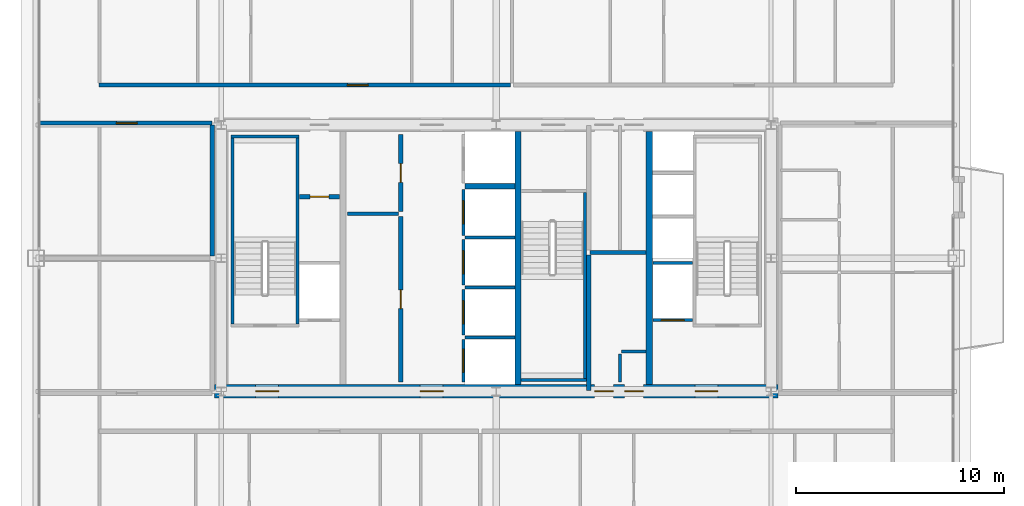
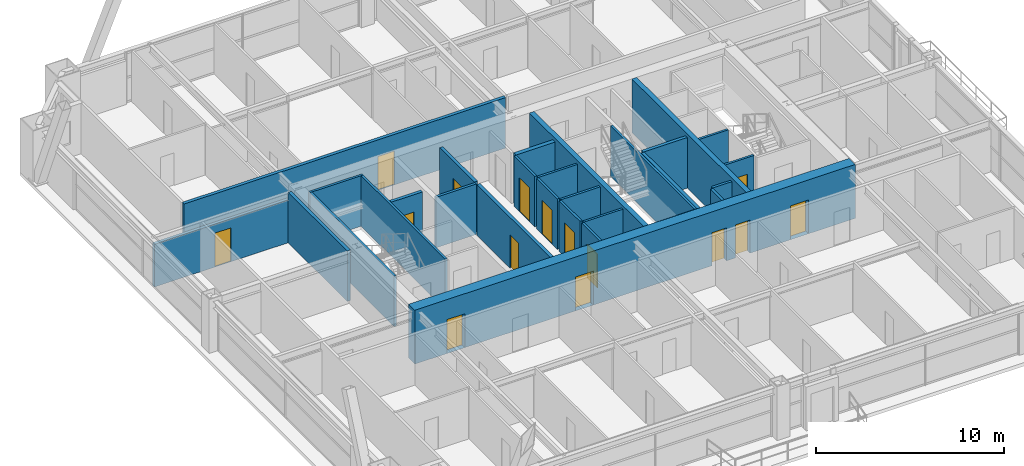
# One storey, part 41 of 45: 29 walls, 15 doors, 15 openings.
"""IFC4 building model written with IfcOpenShell, lengths in metres."""

from ifc_helpers import new_model, si_unit, direction, frame, frame_2d, origin, place, context, subcontext, project, spatial, rectangle, extrude, source, transform, mapped, material, layer, layer_set, type_object, element, fill, save


model = new_model("IFC4")

# Units and contexts
model_context = context("Model", 3, precision=1e-05, world=origin(), true_north=direction((0.0, 1.0)))
body_context = subcontext(model_context, "Body", "Model", "MODEL_VIEW")
ifc_project = project(units=[si_unit("LENGTHUNIT", "METRE"), si_unit("AREAUNIT", "SQUARE_METRE"), si_unit("VOLUMEUNIT", "CUBIC_METRE"), si_unit("PLANEANGLEUNIT", "RADIAN"), si_unit("MASSUNIT", "GRAM", prefix="KILO"), si_unit("THERMODYNAMICTEMPERATUREUNIT", "KELVIN"), si_unit("POWERUNIT", "WATT")], contexts=[model_context])

# Site, building, storey
site_placement = place(None, origin())
site = spatial("IfcSite", under=ifc_project, at=site_placement, CompositionType="ELEMENT")
building_placement = place(site_placement, origin())
building = spatial("IfcBuilding", under=site, at=building_placement, Name="Yuzanri Waterfront Tower", CompositionType="ELEMENT")
storey_placement = place(building_placement, frame((0.0, 0.0, 191.5)))
storey = spatial("IfcBuildingStorey", under=building, at=storey_placement, Name="L50", CompositionType="ELEMENT", Elevation=191.5)

# Wall, openings, doors
ifc_material_1 = material(Name="Concrete C50", Category="concrete")
ifc_layer_1 = layer(ifc_material_1, 0.64990234375)
ifc_layer_set_1 = layer_set([ifc_layer_1], Name="Concrete C50")
wall_type_1 = type_object("IfcWallType", Name="Concrete C50 Mid Zone Core Shear Wall 650", PredefinedType="SHEAR", material=ifc_layer_set_1)
wall_1_placement = place(storey_placement, frame((23.47509765625, 19.39990234375, 0.0), z_axis=(0.0, 0.0, 1.0), x_axis=(1.0, 0.0, 0.0)))
wall_1 = element("IfcWall", 1, at=wall_1_placement, inside=storey, type_object=wall_type_1, Name="L50 Core South Shear Wall", PredefinedType="SHEAR", context=body_context, shape_type="SweptSolid", body=[
    extrude(rectangle(XDim=27.0498046875, YDim=0.64990234375, at=frame_2d((13.52490234375, 0.0))), origin(), (0.0, 0.0, 1.0), 3.5),
])
opening_1_placement = place(wall_1_placement, frame((1.97509765625, 0.0, 0.0)))
opening_1 = element("IfcOpeningElement", 2, at=opening_1_placement, cuts=wall_1, Name="Opening FD-1100", PredefinedType="OPENING", context=body_context, shape_type="SweptSolid", body=[
    extrude(rectangle(XDim=1.10009765625, YDim=2.199951171875, at=frame_2d((0.550048828125, 1.10009765625))), frame((0.0, 0.33984375, 0.0), z_axis=(0.0, -1.0, 0.0), x_axis=(1.0, 0.0, 0.0)), (0.0, 0.0, 1.0), 0.6796875),
])
opening_2_placement = place(wall_1_placement, frame((9.875, 0.0, 0.0)))
opening_2 = element("IfcOpeningElement", 3, at=opening_2_placement, cuts=wall_1, Name="Opening FD-1100", PredefinedType="OPENING", context=body_context, shape_type="SweptSolid", body=[
    extrude(rectangle(XDim=1.10009765625, YDim=2.199951171875, at=frame_2d((0.550048828125, 1.10009765625))), frame((0.0, 0.33984375, 0.0), z_axis=(0.0, -1.0, 0.0), x_axis=(1.0, 0.0, 0.0)), (0.0, 0.0, 1.0), 0.6796875),
])
opening_3_placement = place(wall_1_placement, frame((23.074951171875, 0.0, 0.0)))
opening_3 = element("IfcOpeningElement", 4, at=opening_3_placement, cuts=wall_1, Name="Opening FD-1100", PredefinedType="OPENING", context=body_context, shape_type="SweptSolid", body=[
    extrude(rectangle(XDim=1.10009765625, YDim=2.199951171875, at=frame_2d((0.550048828125, 1.10009765625))), frame((0.0, 0.33984375, 0.0), z_axis=(0.0, -1.0, 0.0), x_axis=(1.0, 0.0, 0.0)), (0.0, 0.0, 1.0), 0.6796875),
])
opening_4_placement = place(wall_1_placement, frame((19.695068359375, 0.0, 0.0)))
opening_4 = element("IfcOpeningElement", 5, at=opening_4_placement, cuts=wall_1, Name="Opening FD-0900", PredefinedType="OPENING", context=body_context, shape_type="SweptSolid", body=[
    extrude(rectangle(XDim=0.89990234375, YDim=2.14990234375, at=frame_2d((0.449951171875, 1.074951171875))), frame((0.0, 0.33984375, 0.0), z_axis=(0.0, -1.0, 0.0), x_axis=(1.0, 0.0, 0.0)), (0.0, 0.0, 1.0), 0.6796875),
])
opening_5_placement = place(wall_1_placement, frame((18.2548828125, 0.0, 0.0)))
opening_5 = element("IfcOpeningElement", 6, at=opening_5_placement, cuts=wall_1, Name="Opening FD-0900", PredefinedType="OPENING", context=body_context, shape_type="SweptSolid", body=[
    extrude(rectangle(XDim=0.89990234375, YDim=2.14990234375, at=frame_2d((0.449951171875, 1.074951171875))), frame((0.0, 0.33984375, 0.0), z_axis=(0.0, -1.0, 0.0), x_axis=(1.0, 0.0, 0.0)), (0.0, 0.0, 1.0), 0.6796875),
])
ifc_material_2 = material(Name="Painted Galvanized Fire Steel", Category="steel")
door_type_1 = type_object("IfcDoorType", Name="Smoke-Proof Stair and Lobby Fire Door 1100x2200", OperationType="NOTDEFINED", PredefinedType="DOOR", material=ifc_material_2)
shared_shape_1 = source(origin(), body_context, "Body", "SweptSolid", [
    extrude(rectangle(XDim=1.10009765625, YDim=2.199951171875, at=frame_2d((0.550048828125, 1.10009765625))), frame((0.0, 0.02490234375, 0.0), z_axis=(0.0, -1.0, 0.0), x_axis=(1.0, 0.0, 0.0)), (0.0, 0.0, 1.0), 0.050048828125),
])
door_1_placement = place(opening_1_placement, origin())
door_1 = element("IfcDoor", 7, at=door_1_placement, inside=storey, type_object=door_type_1, Name="L50 West Firefighting Lobby Door", OperationType="SINGLE_SWING_LEFT", OverallHeight=2.199951171875, OverallWidth=1.10009765625, PredefinedType="DOOR", context=body_context, shape_type="MappedRepresentation", body=[
    mapped(shared_shape_1, transform((0.0, 0.0, 0.0), scale=1.0)),
])
fill(opening_1, door_1)
door_2_placement = place(opening_2_placement, origin())
door_2 = element("IfcDoor", 8, at=door_2_placement, inside=storey, type_object=door_type_1, Name="L50 Central Lift Lobby South Door", OperationType="SINGLE_SWING_RIGHT", OverallHeight=2.199951171875, OverallWidth=1.10009765625, PredefinedType="DOOR", context=body_context, shape_type="MappedRepresentation", body=[
    mapped(shared_shape_1, transform((0.0, 0.0, 0.0), scale=1.0)),
])
fill(opening_2, door_2)
door_3_placement = place(opening_3_placement, origin())
door_3 = element("IfcDoor", 9, at=door_3_placement, inside=storey, type_object=door_type_1, Name="L50 East Firefighting Lobby Door", OperationType="SINGLE_SWING_LEFT", OverallHeight=2.199951171875, OverallWidth=1.10009765625, PredefinedType="DOOR", context=body_context, shape_type="MappedRepresentation", body=[
    mapped(shared_shape_1, transform((0.0, 0.0, 0.0), scale=1.0)),
])
fill(opening_3, door_3)
ifc_material_3 = material(Name="Painted Galvanized Fire Steel", Category="steel")
door_type_2 = type_object("IfcDoorType", Name="Riser and Service Room Fire Door 900x2150", OperationType="NOTDEFINED", PredefinedType="DOOR", material=ifc_material_3)
shared_shape_2 = source(origin(), body_context, "Body", "SweptSolid", [
    extrude(rectangle(XDim=0.89990234375, YDim=2.14990234375, at=frame_2d((0.449951171875, 1.074951171875))), frame((0.0, 0.02490234375, 0.0), z_axis=(0.0, -1.0, 0.0), x_axis=(1.0, 0.0, 0.0)), (0.0, 0.0, 1.0), 0.050048828125),
])
door_4_placement = place(opening_4_placement, origin())
door_4 = element("IfcDoor", 10, at=door_4_placement, inside=storey, type_object=door_type_2, Name="L50 East Wet Riser Door", OperationType="SINGLE_SWING_RIGHT", OverallHeight=2.14990234375, OverallWidth=0.89990234375, PredefinedType="DOOR", context=body_context, shape_type="MappedRepresentation", body=[
    mapped(shared_shape_2, transform((0.0, 0.0, 0.0), scale=1.0)),
])
fill(opening_4, door_4)
door_5_placement = place(opening_5_placement, origin())
door_5 = element("IfcDoor", 11, at=door_5_placement, inside=storey, type_object=door_type_2, Name="L50 Cleaners Store Room", OperationType="SINGLE_SWING_LEFT", OverallHeight=2.14990234375, OverallWidth=0.89990234375, PredefinedType="DOOR", context=body_context, shape_type="MappedRepresentation", body=[
    mapped(shared_shape_2, transform((0.0, 0.0, 0.0), scale=1.0)),
])
fill(opening_5, door_5)

# Wall, opening, door
ifc_material_4 = material(Name="Concrete C40", Category="concrete")
ifc_layer_2 = layer(ifc_material_4, 0.139892578125)
ifc_layer_set_2 = layer_set([ifc_layer_2], Name="Concrete C40")
wall_type_2 = type_object("IfcWallType", Name="Core Stair Liner and Hoistway Shaft Wall 140", PredefinedType="SOLIDWALL", material=ifc_layer_set_2)
wall_2_placement = place(storey_placement, frame((44.52001953125, 22.830078125, 0.0), z_axis=(0.0, 0.0, 1.0), x_axis=(1.0, 0.0, 0.0)))
wall_2 = element("IfcWall", 12, at=wall_2_placement, inside=storey, type_object=wall_type_2, Name="L50 Lift FL-02 Front Shaft Wall", PredefinedType="SOLIDWALL", context=body_context, shape_type="SweptSolid", body=[
    extrude(rectangle(XDim=1.919921875, YDim=0.139892578125, at=frame_2d((0.9599609375, 0.0))), origin(), (0.0, 0.0, 1.0), 3.280029296875),
])
opening_6_placement = place(wall_2_placement, frame((0.409912109375, 0.0, 0.0)))
opening_6 = element("IfcOpeningElement", 13, at=opening_6_placement, cuts=wall_2, Name="Opening LD-FL-02", PredefinedType="OPENING", context=body_context, shape_type="SweptSolid", body=[
    extrude(rectangle(XDim=1.10009765625, YDim=2.199951171875, at=frame_2d((0.550048828125, 1.10009765625))), frame((0.0, 0.0849609375, 0.0), z_axis=(0.0, -1.0, 0.0), x_axis=(1.0, 0.0, 0.0)), (0.0, 0.0, 1.0), 0.169677734375),
])
ifc_material_5 = material(Name="Brushed Bronze and Stainless Steel Cab", Category="steel")
door_type_3 = type_object("IfcDoorType", Name="Center-Parting Bronze Lift Landing Sliding Door 1100x2200", OperationType="NOTDEFINED", PredefinedType="DOOR", material=ifc_material_5)
shared_shape_3 = source(origin(), body_context, "Body", "SweptSolid", [
    extrude(rectangle(XDim=1.10009765625, YDim=2.199951171875, at=frame_2d((0.550048828125, 1.10009765625))), frame((0.0, 0.02490234375, 0.0), z_axis=(0.0, -1.0, 0.0), x_axis=(1.0, 0.0, 0.0)), (0.0, 0.0, 1.0), 0.050048828125),
])
door_6_placement = place(opening_6_placement, origin())
door_6 = element("IfcDoor", 14, at=door_6_placement, inside=storey, type_object=door_type_3, Name="L50 FL-02 Lift Landing Sliding Door", OperationType="SLIDING_TO_RIGHT", OverallHeight=2.199951171875, OverallWidth=1.10009765625, PredefinedType="DOOR", context=body_context, shape_type="MappedRepresentation", body=[
    mapped(shared_shape_3, transform((0.0, 0.0, 0.0), scale=1.0)),
])
fill(opening_6, door_6)

wall_3_placement = place(storey_placement, frame((35.429931640625, 19.860107421875, 0.0), z_axis=(0.0, 0.0, 1.0), x_axis=(0.0, 1.0, 0.0)))
wall_3 = element("IfcWall", 15, at=wall_3_placement, inside=storey, type_object=wall_type_2, Name="L50 Lift PL-05 Front Shaft Wall", PredefinedType="SOLIDWALL", context=body_context, shape_type="SweptSolid", body=[
    extrude(rectangle(XDim=2.039794921875, YDim=0.139892578125, at=frame_2d((1.02001953125, 0.0))), origin(), (0.0, 0.0, 1.0), 3.280029296875),
])
opening_7_placement = place(wall_3_placement, frame((0.469970703125, 0.0, 0.0)))
opening_7 = element("IfcOpeningElement", 16, at=opening_7_placement, cuts=wall_3, Name="Opening LD-PL-05", PredefinedType="OPENING", context=body_context, shape_type="SweptSolid", body=[
    extrude(rectangle(XDim=1.10009765625, YDim=2.199951171875, at=frame_2d((0.550048828125, 1.10009765625))), frame((0.0, 0.0849609375, 0.0), z_axis=(0.0, -1.0, 0.0), x_axis=(1.0, 0.0, 0.0)), (0.0, 0.0, 1.0), 0.169677734375),
])
door_7_placement = place(opening_7_placement, origin())
door_7 = element("IfcDoor", 17, at=door_7_placement, inside=storey, type_object=door_type_3, Name="L50 PL-05 Lift Landing Sliding Door", OperationType="SLIDING_TO_RIGHT", OverallHeight=2.199951171875, OverallWidth=1.10009765625, PredefinedType="DOOR", context=body_context, shape_type="MappedRepresentation", body=[
    mapped(shared_shape_3, transform((0.0, 0.0, 0.0), scale=1.0)),
])
fill(opening_7, door_7)

wall_4_placement = place(storey_placement, frame((35.429931640625, 22.10009765625, 0.0), z_axis=(0.0, 0.0, 1.0), x_axis=(0.0, 1.0, 0.0)))
wall_4 = element("IfcWall", 18, at=wall_4_placement, inside=storey, type_object=wall_type_2, Name="L50 Lift PL-06 Front Shaft Wall", PredefinedType="SOLIDWALL", context=body_context, shape_type="SweptSolid", body=[
    extrude(rectangle(XDim=2.199951171875, YDim=0.139892578125, at=frame_2d((1.10009765625, 0.0))), origin(), (0.0, 0.0, 1.0), 3.280029296875),
])
opening_8_placement = place(wall_4_placement, frame((0.550048828125, 0.0, 0.0)))
opening_8 = element("IfcOpeningElement", 19, at=opening_8_placement, cuts=wall_4, Name="Opening LD-PL-06", PredefinedType="OPENING", context=body_context, shape_type="SweptSolid", body=[
    extrude(rectangle(XDim=1.10009765625, YDim=2.199951171875, at=frame_2d((0.550048828125, 1.10009765625))), frame((0.0, 0.0849609375, 0.0), z_axis=(0.0, -1.0, 0.0), x_axis=(1.0, 0.0, 0.0)), (0.0, 0.0, 1.0), 0.169677734375),
])
door_8_placement = place(opening_8_placement, origin())
door_8 = element("IfcDoor", 20, at=door_8_placement, inside=storey, type_object=door_type_3, Name="L50 PL-06 Lift Landing Sliding Door", OperationType="SLIDING_TO_LEFT", OverallHeight=2.199951171875, OverallWidth=1.10009765625, PredefinedType="DOOR", context=body_context, shape_type="MappedRepresentation", body=[
    mapped(shared_shape_3, transform((0.0, 0.0, 0.0), scale=1.0)),
])
fill(opening_8, door_8)

wall_5_placement = place(storey_placement, frame((35.429931640625, 24.5, 0.0), z_axis=(0.0, 0.0, 1.0), x_axis=(0.0, 1.0, 0.0)))
wall_5 = element("IfcWall", 21, at=wall_5_placement, inside=storey, type_object=wall_type_2, Name="L50 Lift PL-07 Front Shaft Wall", PredefinedType="SOLIDWALL", context=body_context, shape_type="SweptSolid", body=[
    extrude(rectangle(XDim=2.199951171875, YDim=0.139892578125, at=frame_2d((1.10009765625, 0.0))), origin(), (0.0, 0.0, 1.0), 3.280029296875),
])
opening_9_placement = place(wall_5_placement, frame((0.550048828125, 0.0, 0.0)))
opening_9 = element("IfcOpeningElement", 22, at=opening_9_placement, cuts=wall_5, Name="Opening LD-PL-07", PredefinedType="OPENING", context=body_context, shape_type="SweptSolid", body=[
    extrude(rectangle(XDim=1.10009765625, YDim=2.199951171875, at=frame_2d((0.550048828125, 1.10009765625))), frame((0.0, 0.0849609375, 0.0), z_axis=(0.0, -1.0, 0.0), x_axis=(1.0, 0.0, 0.0)), (0.0, 0.0, 1.0), 0.169677734375),
])
door_9_placement = place(opening_9_placement, origin())
door_9 = element("IfcDoor", 23, at=door_9_placement, inside=storey, type_object=door_type_3, Name="L50 PL-07 Lift Landing Sliding Door", OperationType="SLIDING_TO_RIGHT", OverallHeight=2.199951171875, OverallWidth=1.10009765625, PredefinedType="DOOR", context=body_context, shape_type="MappedRepresentation", body=[
    mapped(shared_shape_3, transform((0.0, 0.0, 0.0), scale=1.0)),
])
fill(opening_9, door_9)

wall_6_placement = place(storey_placement, frame((35.429931640625, 26.89990234375, 0.0), z_axis=(0.0, 0.0, 1.0), x_axis=(0.0, 1.0, 0.0)))
wall_6 = element("IfcWall", 24, at=wall_6_placement, inside=storey, type_object=wall_type_2, Name="L50 Lift PL-08 Front Shaft Wall", PredefinedType="SOLIDWALL", context=body_context, shape_type="SweptSolid", body=[
    extrude(rectangle(XDim=2.2001953125, YDim=0.139892578125, at=frame_2d((1.10009765625, 0.0))), origin(), (0.0, 0.0, 1.0), 3.280029296875),
])
opening_10_placement = place(wall_6_placement, frame((0.550048828125, 0.0, 0.0)))
opening_10 = element("IfcOpeningElement", 25, at=opening_10_placement, cuts=wall_6, Name="Opening LD-PL-08", PredefinedType="OPENING", context=body_context, shape_type="SweptSolid", body=[
    extrude(rectangle(XDim=1.10009765625, YDim=2.199951171875, at=frame_2d((0.550048828125, 1.10009765625))), frame((0.0, 0.0849609375, 0.0), z_axis=(0.0, -1.0, 0.0), x_axis=(1.0, 0.0, 0.0)), (0.0, 0.0, 1.0), 0.169677734375),
])
door_10_placement = place(opening_10_placement, origin())
door_10 = element("IfcDoor", 26, at=door_10_placement, inside=storey, type_object=door_type_3, Name="L50 PL-08 Lift Landing Sliding Door", OperationType="SLIDING_TO_LEFT", OverallHeight=2.199951171875, OverallWidth=1.10009765625, PredefinedType="DOOR", context=body_context, shape_type="MappedRepresentation", body=[
    mapped(shared_shape_3, transform((0.0, 0.0, 0.0), scale=1.0)),
])
fill(opening_10, door_10)

ifc_material_6 = material(Name="Autoclaved Aerated Concrete Blockwork", Category="masonry")
ifc_layer_3 = layer(ifc_material_6, 0.199951171875)
ifc_layer_set_3 = layer_set([ifc_layer_3], Name="Autoclaved Aerated Concrete Blockwork")
wall_type_3 = type_object("IfcWallType", Name="Corridor and Unit Party Fire Wall 200", PredefinedType="PARTITIONING", material=ifc_layer_set_3)
wall_7_placement = place(storey_placement, frame((27.56005859375, 28.75, 0.0), z_axis=(0.0, 0.0, 1.0), x_axis=(1.0, 0.0, 0.0)))
wall_7 = element("IfcWall", 27, at=wall_7_placement, inside=storey, type_object=wall_type_3, Name="L50 Partition CRW-L50-ERTR", PredefinedType="PARTITIONING", context=body_context, shape_type="SweptSolid", body=[
    extrude(rectangle(XDim=1.919921875, YDim=0.199951171875, at=frame_2d((0.9599609375, 0.0))), origin(), (0.0, 0.0, 1.0), 3.280029296875),
])
opening_11_placement = place(wall_7_placement, frame((0.510009765625, 0.0, 0.0)))
opening_11 = element("IfcOpeningElement", 28, at=opening_11_placement, cuts=wall_7, Name="Opening FD-0900", PredefinedType="OPENING", context=body_context, shape_type="SweptSolid", body=[
    extrude(rectangle(XDim=0.89990234375, YDim=2.14990234375, at=frame_2d((0.449951171875, 1.074951171875))), frame((0.0, 0.11474609375, 0.0), z_axis=(0.0, -1.0, 0.0), x_axis=(1.0, 0.0, 0.0)), (0.0, 0.0, 1.0), 0.229736328125),
])
door_11_placement = place(opening_11_placement, origin())
door_11 = element("IfcDoor", 29, at=door_11_placement, inside=storey, type_object=door_type_2, Name="L50 Electrical Riser Door", OperationType="SINGLE_SWING_LEFT", OverallHeight=2.14990234375, OverallWidth=0.89990234375, PredefinedType="DOOR", context=body_context, shape_type="MappedRepresentation", body=[
    mapped(shared_shape_2, transform((0.0, 0.0, 0.0), scale=1.0)),
])
fill(opening_11, door_11)

wall_8_placement = place(storey_placement, frame((32.419921875, 19.860107421875, 0.0), z_axis=(0.0, 0.0, 1.0), x_axis=(0.0, 1.0, 0.0)))
wall_8 = element("IfcWall", 30, at=wall_8_placement, inside=storey, type_object=wall_type_3, Name="L50 Partition CRW-L50-B1R-1", PredefinedType="PARTITIONING", context=body_context, shape_type="SweptSolid", body=[
    extrude(rectangle(XDim=7.93994140625, YDim=0.199951171875, at=frame_2d((3.969970703125, 0.0))), origin(), (0.0, 0.0, 1.0), 3.280029296875),
])
opening_12_placement = place(wall_8_placement, frame((3.52001953125, 0.0, 0.0)))
opening_12 = element("IfcOpeningElement", 31, at=opening_12_placement, cuts=wall_8, Name="Opening FD-0900", PredefinedType="OPENING", context=body_context, shape_type="SweptSolid", body=[
    extrude(rectangle(XDim=0.89990234375, YDim=2.14990234375, at=frame_2d((0.449951171875, 1.074951171875))), frame((0.0, 0.11474609375, 0.0), z_axis=(0.0, -1.0, 0.0), x_axis=(1.0, 0.0, 0.0)), (0.0, 0.0, 1.0), 0.229736328125),
])
door_12_placement = place(opening_12_placement, origin())
door_12 = element("IfcDoor", 32, at=door_12_placement, inside=storey, type_object=door_type_2, Name="L50 General Store Room", OperationType="SINGLE_SWING_RIGHT", OverallHeight=2.14990234375, OverallWidth=0.89990234375, PredefinedType="DOOR", context=body_context, shape_type="MappedRepresentation", body=[
    mapped(shared_shape_2, transform((0.0, 0.0, 0.0), scale=1.0)),
])
fill(opening_12, door_12)

wall_9_placement = place(storey_placement, frame((32.419921875, 28.050048828125, 0.0), z_axis=(0.0, 0.0, 1.0), x_axis=(0.0, 1.0, 0.0)))
wall_9 = element("IfcWall", 33, at=wall_9_placement, inside=storey, type_object=wall_type_3, Name="L50 Partition CRW-L50-B1R-2", PredefinedType="PARTITIONING", context=body_context, shape_type="SweptSolid", body=[
    extrude(rectangle(XDim=3.68994140625, YDim=0.199951171875, at=frame_2d((1.844970703125, 0.0))), origin(), (0.0, 0.0, 1.0), 3.280029296875),
])
opening_13_placement = place(wall_9_placement, frame((1.39501953125, 0.0, 0.0)))
opening_13 = element("IfcOpeningElement", 34, at=opening_13_placement, cuts=wall_9, Name="Opening FD-0900", PredefinedType="OPENING", context=body_context, shape_type="SweptSolid", body=[
    extrude(rectangle(XDim=0.89990234375, YDim=2.14990234375, at=frame_2d((0.449951171875, 1.074951171875))), frame((0.0, 0.11474609375, 0.0), z_axis=(0.0, -1.0, 0.0), x_axis=(1.0, 0.0, 0.0)), (0.0, 0.0, 1.0), 0.229736328125),
])
door_13_placement = place(opening_13_placement, origin())
door_13 = element("IfcDoor", 35, at=door_13_placement, inside=storey, type_object=door_type_2, Name="L50 Water Riser Shaft", OperationType="SINGLE_SWING_LEFT", OverallHeight=2.14990234375, OverallWidth=0.89990234375, PredefinedType="DOOR", context=body_context, shape_type="MappedRepresentation", body=[
    mapped(shared_shape_2, transform((0.0, 0.0, 0.0), scale=1.0)),
])
fill(opening_13, door_13)

wall_10_placement = place(storey_placement, frame((17.93994140625, 34.110107421875, 0.0), z_axis=(0.0, 0.0, 1.0), x_axis=(1.0, 0.0, 0.0)))
wall_10 = element("IfcWall", 36, at=wall_10_placement, inside=storey, type_object=wall_type_3, Name="L50 Partition UW-L50-RN1-CS", PredefinedType="PARTITIONING", context=body_context, shape_type="SweptSolid", body=[
    extrude(rectangle(XDim=19.741943359375, YDim=0.199951171875, at=frame_2d((9.87109375, 0.0))), origin(), (0.0, 0.0, 1.0), 3.280029296875),
])
opening_14_placement = place(wall_10_placement, frame((11.9150390625, 0.0, 0.0)))
opening_14 = element("IfcOpeningElement", 37, at=opening_14_placement, cuts=wall_10, Name="Opening FD-1000", PredefinedType="OPENING", context=body_context, shape_type="SweptSolid", body=[
    extrude(rectangle(XDim=1.0, YDim=2.199951171875, at=frame_2d((0.5, 1.10009765625))), frame((0.0, 0.11474609375, 0.0), z_axis=(0.0, -1.0, 0.0), x_axis=(1.0, 0.0, 0.0)), (0.0, 0.0, 1.0), 0.229736328125),
])
ifc_material_7 = material(Name="Engineered Oak Fire-Rated Timber", Category="wood")
door_type_4 = type_object("IfcDoorType", Name="Guestroom and Apartment Entrance Fire Door 1000x2200", OperationType="NOTDEFINED", PredefinedType="DOOR", material=ifc_material_7)
shared_shape_4 = source(origin(), body_context, "Body", "SweptSolid", [
    extrude(rectangle(XDim=1.0, YDim=2.199951171875, at=frame_2d((0.5, 1.10009765625))), frame((0.0, 0.02490234375, 0.0), z_axis=(0.0, -1.0, 0.0), x_axis=(1.0, 0.0, 0.0)), (0.0, 0.0, 1.0), 0.050048828125),
])
door_14_placement = place(opening_14_placement, origin())
door_14 = element("IfcDoor", 38, at=door_14_placement, inside=storey, type_object=door_type_4, Name="L50 Apartment Living and Dining Salon Entrance Door", OperationType="SINGLE_SWING_RIGHT", OverallHeight=2.199951171875, OverallWidth=1.0, PredefinedType="DOOR", context=body_context, shape_type="MappedRepresentation", body=[
    mapped(shared_shape_4, transform((0.0, 0.0, 0.0), scale=1.0)),
])
fill(opening_14, door_14)

wall_11_placement = place(storey_placement, frame((15.050048828125, 32.2900390625, 0.0), z_axis=(0.0, 0.0, 1.0), x_axis=(1.0, 0.0, 0.0)))
wall_11 = element("IfcWall", 39, at=wall_11_placement, inside=storey, type_object=wall_type_3, Name="L50 Partition UW-L50-051-CN", PredefinedType="PARTITIONING", context=body_context, shape_type="SweptSolid", body=[
    extrude(rectangle(XDim=8.300048828125, YDim=0.199951171875, at=frame_2d((4.14990234375, 0.0))), origin(), (0.0, 0.0, 1.0), 2.77490234375),
])
opening_15_placement = place(wall_11_placement, frame((3.715087890625, 0.0, 0.0)))
opening_15 = element("IfcOpeningElement", 40, at=opening_15_placement, cuts=wall_11, Name="Opening FD-1000", PredefinedType="OPENING", context=body_context, shape_type="SweptSolid", body=[
    extrude(rectangle(XDim=1.0, YDim=2.199951171875, at=frame_2d((0.5, 1.10009765625))), frame((0.0, 0.11474609375, 0.0), z_axis=(0.0, -1.0, 0.0), x_axis=(1.0, 0.0, 0.0)), (0.0, 0.0, 1.0), 0.229736328125),
])
door_15_placement = place(opening_15_placement, origin())
door_15 = element("IfcDoor", 41, at=door_15_placement, inside=storey, type_object=door_type_4, Name="L50 Residents W Library Reading Room Entrance Door", OperationType="SINGLE_SWING_LEFT", OverallHeight=2.199951171875, OverallWidth=1.0, PredefinedType="DOOR", context=body_context, shape_type="MappedRepresentation", body=[
    mapped(shared_shape_4, transform((0.0, 0.0, 0.0), scale=1.0)),
])
fill(opening_15, door_15)

# Walls
ifc_material_8 = material(Name="Concrete C50", Category="concrete")
ifc_layer_4 = layer(ifc_material_8, 0.300048828125)
ifc_layer_set_4 = layer_set([ifc_layer_4], Name="Concrete C50")
wall_type_4 = type_object("IfcWallType", Name="Concrete C50 Internal Core Shaft Structural Wall 300", PredefinedType="SOLIDWALL", material=ifc_layer_set_4)
shared_shape_5 = source(origin(), body_context, "Body", "SweptSolid", [
    extrude(rectangle(XDim=12.14990234375, YDim=0.300048828125, at=frame_2d((6.074951171875, 0.0))), origin(), (0.0, 0.0, 1.0), 3.5),
])
for number, where, z_axis, x_axis, name in (
    (42, (38.050048828125, 19.72509765625, 0.0), (0.0, 0.0, 1.0), (0.0, 1.0, 0.0), "L50 Core Internal Structural Web Wall 2"),
    (43, (44.35009765625, 19.72509765625, 0.0), (0.0, 0.0, 1.0), (0.0, 1.0, 0.0), "L50 Core Internal Structural Web Wall 3"),
):
    element("IfcWall", number, at=place(storey_placement, frame(where, z_axis=z_axis, x_axis=x_axis)), inside=storey, type_object=wall_type_4, Name=name, PredefinedType="SOLIDWALL", context=body_context, shape_type="MappedRepresentation", body=[
        mapped(shared_shape_5, transform((0.0, 0.0, 0.0), scale=1.0)),
    ])
shared_shape_6 = source(origin(), body_context, "Body", "SweptSolid", [
    extrude(rectangle(XDim=1.919921875, YDim=0.139892578125, at=frame_2d((0.9599609375, 0.0))), origin(), (0.0, 0.0, 1.0), 3.280029296875),
])
wall_12_placement = place(storey_placement, frame((44.52001953125, 25.570068359375, 0.0), z_axis=(0.0, 0.0, 1.0), x_axis=(1.0, 0.0, 0.0)))
element("IfcWall", 44, at=wall_12_placement, inside=storey, type_object=wall_type_2, Name="L50 Lift FL-02 Back Shaft Wall", PredefinedType="SOLIDWALL", context=body_context, shape_type="MappedRepresentation", body=[
    mapped(shared_shape_6, transform((0.0, 0.0, 0.0), scale=1.0)),
])
shared_shape_7 = source(origin(), body_context, "Body", "SweptSolid", [
    extrude(rectangle(XDim=2.39990234375, YDim=0.139892578125, at=frame_2d((1.199951171875, 0.0))), origin(), (0.0, 0.0, 1.0), 3.280029296875),
])
for number, where, z_axis, x_axis, name in (
    (45, (35.5, 22.0, 0.0), (0.0, 0.0, 1.0), (1.0, 0.0, 0.0), "L50 Lift PL-05 Divider Wall"),
    (46, (35.5, 24.39990234375, 0.0), (0.0, 0.0, 1.0), (1.0, 0.0, 0.0), "L50 Lift PL-06 Divider Wall"),
    (47, (35.5, 26.800048828125, 0.0), (0.0, 0.0, 1.0), (1.0, 0.0, 0.0), "L50 Lift PL-07 Divider Wall"),
):
    element("IfcWall", number, at=place(storey_placement, frame(where, z_axis=z_axis, x_axis=x_axis)), inside=storey, type_object=wall_type_2, Name=name, PredefinedType="SOLIDWALL", context=body_context, shape_type="MappedRepresentation", body=[
        mapped(shared_shape_7, transform((0.0, 0.0, 0.0), scale=1.0)),
    ])
ifc_material_9 = material(Name="Concrete C40", Category="concrete")
ifc_layer_5 = layer(ifc_material_9, 0.25)
ifc_layer_set_5 = layer_set([ifc_layer_5], Name="Concrete C40")
wall_type_5 = type_object("IfcWallType", Name="Smoke-Proof Stair and Lift Shaft Wall 250", PredefinedType="SOLIDWALL", material=ifc_layer_set_5)
shared_shape_8 = source(origin(), body_context, "Body", "SweptSolid", [
    extrude(rectangle(XDim=2.39990234375, YDim=0.25, at=frame_2d((1.199951171875, 0.0))), origin(), (0.0, 0.0, 1.0), 3.280029296875),
])
wall_13_placement = place(storey_placement, frame((35.5, 29.25, 0.0), z_axis=(0.0, 0.0, 1.0), x_axis=(1.0, 0.0, 0.0)))
element("IfcWall", 48, at=wall_13_placement, inside=storey, type_object=wall_type_5, Name="L50 Lift SL-02 South Shaft Wall", PredefinedType="SOLIDWALL", context=body_context, shape_type="MappedRepresentation", body=[
    mapped(shared_shape_8, transform((0.0, 0.0, 0.0), scale=1.0)),
])
shared_shape_9 = source(origin(), body_context, "Body", "SweptSolid", [
    extrude(rectangle(XDim=3.280029296875, YDim=0.139892578125, at=frame_2d((1.64013671875, 0.0))), origin(), (0.0, 0.0, 1.0), 3.280029296875),
])
wall_14_placement = place(storey_placement, frame((24.260009765625, 31.64990234375, 0.0), z_axis=(0.0, 0.0, 1.0), x_axis=(1.0, 0.0, 0.0)))
element("IfcWall", 49, at=wall_14_placement, inside=storey, type_object=wall_type_2, Name="L50 Stair ST-01 North Shaft Wall", PredefinedType="SOLIDWALL", context=body_context, shape_type="MappedRepresentation", body=[
    mapped(shared_shape_9, transform((0.0, 0.0, 0.0), scale=1.0)),
])
shared_shape_10 = source(origin(), body_context, "Body", "SweptSolid", [
    extrude(rectangle(XDim=8.940185546875, YDim=0.139892578125, at=frame_2d((4.47021484375, 0.0))), origin(), (0.0, 0.0, 1.0), 3.280029296875),
])
for number, where, z_axis, x_axis, name in (
    (50, (24.330078125, 22.639892578125, 0.0), (0.0, 0.0, 1.0), (0.0, 1.0, 0.0), "L50 Stair ST-01 West Shaft Wall"),
    (51, (27.469970703125, 22.639892578125, 0.0), (0.0, 0.0, 1.0), (0.0, 1.0, 0.0), "L50 Stair ST-01 East Shaft Wall"),
):
    element("IfcWall", number, at=place(storey_placement, frame(where, z_axis=z_axis, x_axis=x_axis)), inside=storey, type_object=wall_type_2, Name=name, PredefinedType="SOLIDWALL", context=body_context, shape_type="MappedRepresentation", body=[
        mapped(shared_shape_10, transform((0.0, 0.0, 0.0), scale=1.0)),
    ])
shared_shape_11 = source(origin(), body_context, "Body", "SweptSolid", [
    extrude(rectangle(XDim=3.14013671875, YDim=0.139892578125, at=frame_2d((1.570068359375, 0.0))), origin(), (0.0, 0.0, 1.0), 3.280029296875),
])
wall_15_placement = place(storey_placement, frame((38.199951171875, 19.949951171875, 0.0), z_axis=(0.0, 0.0, 1.0), x_axis=(1.0, 0.0, 0.0)))
element("IfcWall", 52, at=wall_15_placement, inside=storey, type_object=wall_type_2, Name="L50 Stair ST-03 South Shaft Wall", PredefinedType="SOLIDWALL", context=body_context, shape_type="MappedRepresentation", body=[
    mapped(shared_shape_11, transform((0.0, 0.0, 0.0), scale=1.0)),
])
shared_shape_12 = source(origin(), body_context, "Body", "SweptSolid", [
    extrude(rectangle(XDim=8.93994140625, YDim=0.139892578125, at=frame_2d((4.469970703125, 0.0))), origin(), (0.0, 0.0, 1.0), 3.280029296875),
])
wall_16_placement = place(storey_placement, frame((41.27001953125, 20.02001953125, 0.0), z_axis=(0.0, 0.0, 1.0), x_axis=(0.0, 1.0, 0.0)))
element("IfcWall", 53, at=wall_16_placement, inside=storey, type_object=wall_type_2, Name="L50 Stair ST-03 East Shaft Wall", PredefinedType="SOLIDWALL", context=body_context, shape_type="MappedRepresentation", body=[
    mapped(shared_shape_12, transform((0.0, 0.0, 0.0), scale=1.0)),
])
ifc_material_10 = material(Name="Gypsum Fireboard Acoustic Stud Wall", Category="gypsum")
ifc_layer_6 = layer(ifc_material_10, 0.159912109375)
ifc_layer_set_6 = layer_set([ifc_layer_6], Name="Gypsum Fireboard Acoustic Stud Wall")
wall_type_6 = type_object("IfcWallType", Name="Acoustic Suite Demising Partition 160", PredefinedType="PARTITIONING", material=ifc_layer_set_6)
shared_shape_13 = source(origin(), body_context, "Body", "SweptSolid", [
    extrude(rectangle(XDim=2.469970703125, YDim=0.159912109375, at=frame_2d((1.23486328125, 0.0))), origin(), (0.0, 0.0, 1.0), 3.280029296875),
])
wall_17_placement = place(storey_placement, frame((29.85009765625, 27.929931640625, 0.0), z_axis=(0.0, 0.0, 1.0), x_axis=(1.0, 0.0, 0.0)))
element("IfcWall", 54, at=wall_17_placement, inside=storey, type_object=wall_type_6, Name="L50 Reclaimed Core Divider 2", PredefinedType="PARTITIONING", context=body_context, shape_type="MappedRepresentation", body=[
    mapped(shared_shape_13, transform((0.0, 0.0, 0.0), scale=1.0)),
])
shared_shape_14 = source(origin(), body_context, "Body", "SweptSolid", [
    extrude(rectangle(XDim=1.33984375, YDim=0.159912109375, at=frame_2d((0.669921875, 0.0))), origin(), (0.0, 0.0, 1.0), 3.280029296875),
])
wall_18_placement = place(storey_placement, frame((42.949951171875, 19.860107421875, 0.0), z_axis=(0.0, 0.0, 1.0), x_axis=(0.0, 1.0, 0.0)))
element("IfcWall", 55, at=wall_18_placement, inside=storey, type_object=wall_type_6, Name="L50 East Wet Riser West Wall", PredefinedType="PARTITIONING", context=body_context, shape_type="MappedRepresentation", body=[
    mapped(shared_shape_14, transform((0.0, 0.0, 0.0), scale=1.0)),
])
shared_shape_15 = source(origin(), body_context, "Body", "SweptSolid", [
    extrude(rectangle(XDim=1.169921875, YDim=0.159912109375, at=frame_2d((0.5849609375, 0.0))), origin(), (0.0, 0.0, 1.0), 3.280029296875),
])
wall_19_placement = place(storey_placement, frame((43.030029296875, 21.320068359375, 0.0), z_axis=(0.0, 0.0, 1.0), x_axis=(1.0, 0.0, 0.0)))
element("IfcWall", 56, at=wall_19_placement, inside=storey, type_object=wall_type_6, Name="L50 East Wet Riser North Wall", PredefinedType="PARTITIONING", context=body_context, shape_type="MappedRepresentation", body=[
    mapped(shared_shape_15, transform((0.0, 0.0, 0.0), scale=1.0)),
])
shared_shape_16 = source(origin(), body_context, "Body", "SweptSolid", [
    extrude(rectangle(XDim=6.510009765625, YDim=0.199951171875, at=frame_2d((3.2548828125, 0.0))), origin(), (0.0, 0.0, 1.0), 3.280029296875),
])
wall_20_placement = place(storey_placement, frame((41.449951171875, 19.43994140625, 0.0), z_axis=(0.0, 0.0, 1.0), x_axis=(0.0, 1.0, 0.0)))
element("IfcWall", 57, at=wall_20_placement, inside=storey, type_object=wall_type_3, Name="L50 Core BOH West Wall 1", PredefinedType="PARTITIONING", context=body_context, shape_type="MappedRepresentation", body=[
    mapped(shared_shape_16, transform((0.0, 0.0, 0.0), scale=1.0)),
])
shared_shape_17 = source(origin(), body_context, "Body", "SweptSolid", [
    extrude(rectangle(XDim=2.699951171875, YDim=0.199951171875, at=frame_2d((1.35009765625, 0.0))), origin(), (0.0, 0.0, 1.0), 3.280029296875),
])
wall_21_placement = place(storey_placement, frame((41.5, 26.070068359375, 0.0), z_axis=(0.0, 0.0, 1.0), x_axis=(1.0, 0.0, 0.0)))
element("IfcWall", 58, at=wall_21_placement, inside=storey, type_object=wall_type_3, Name="L50 Core BOH Split Wall 1", PredefinedType="PARTITIONING", context=body_context, shape_type="MappedRepresentation", body=[
    mapped(shared_shape_17, transform((0.0, 0.0, 0.0), scale=1.0)),
])
shared_shape_18 = source(origin(), body_context, "Body", "SweptSolid", [
    extrude(rectangle(XDim=6.2900390625, YDim=0.199951171875, at=frame_2d((3.14501953125, 0.0))), origin(), (0.0, 0.0, 1.0), 3.280029296875),
])
wall_22_placement = place(storey_placement, frame((23.3701171875, 25.89990234375, 0.0), z_axis=(0.0, 0.0, 1.0), x_axis=(0.0, 1.0, 0.0)))
element("IfcWall", 59, at=wall_22_placement, inside=storey, type_object=wall_type_3, Name="L50-051 Wing Inner Core-Side Wall", PredefinedType="PARTITIONING", context=body_context, shape_type="MappedRepresentation", body=[
    mapped(shared_shape_18, transform((0.0, 0.0, 0.0), scale=1.0)),
])

save(model, "model.ifc")
